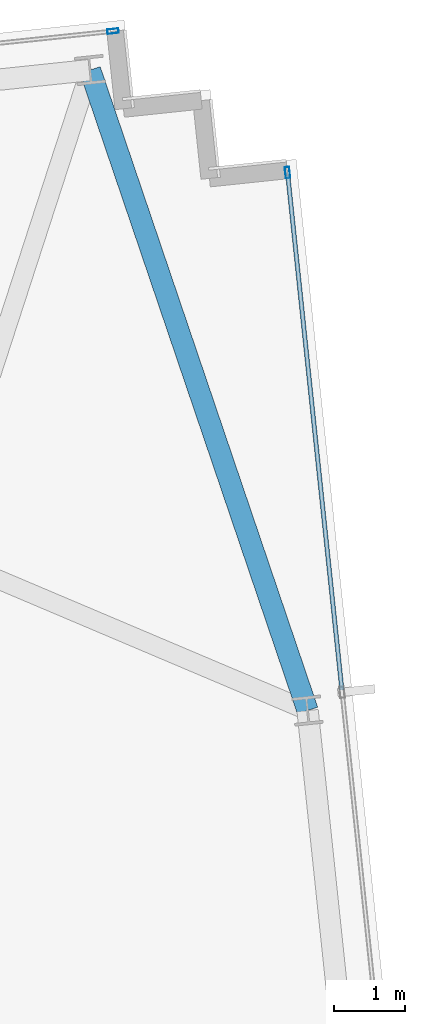
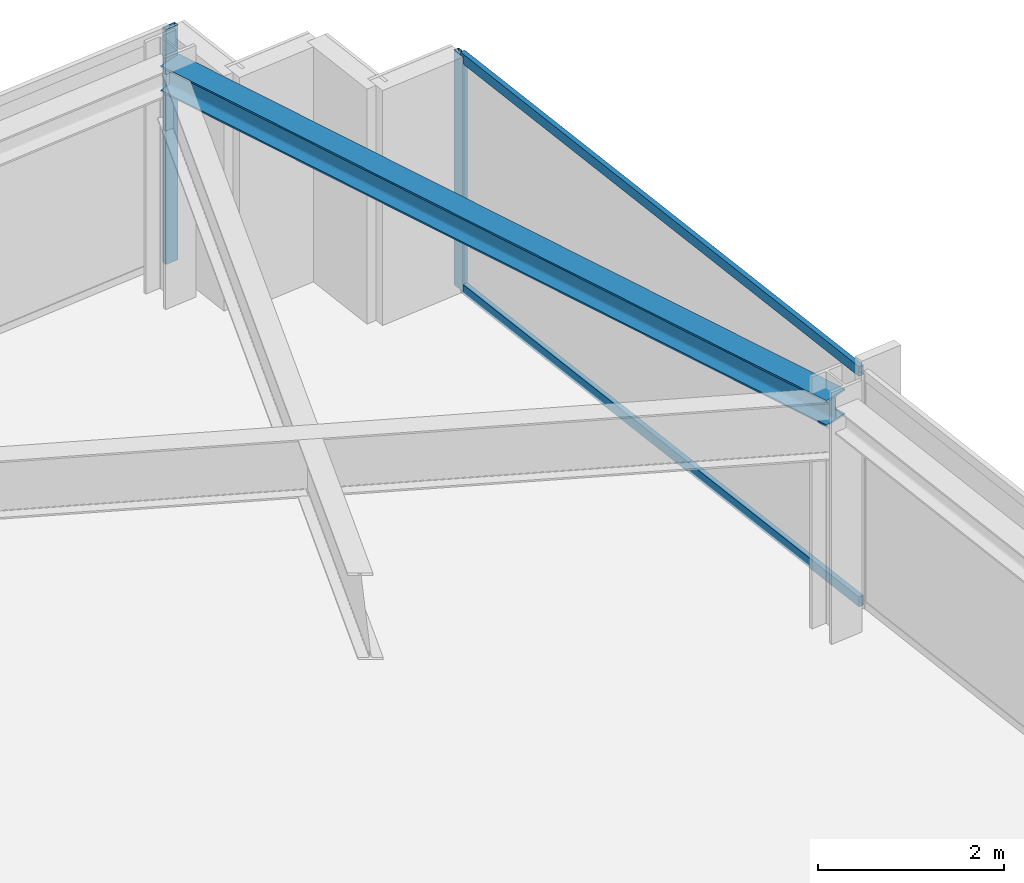
# One storey, part 25 of 33: 4 members, 1 beam, 2 elements without a shape of their own.
"""IFC4 building model written with IfcOpenShell, lengths in metres."""

from ifc_helpers import new_model, si_unit, direction, frame, origin, origin_2d, place, context, subcontext, project, spatial, hollow_rectangle, i_section, extrude, material, material_profile, profile_set, type_object, element, aggregate, save


model = new_model("IFC4")

# Units and contexts
model_context = context("Model", 3, precision=1e-05, world=origin(), true_north=direction((0.0, 1.0)))
body_context = subcontext(model_context, "Body", "Model", "MODEL_VIEW")
ifc_project = project(units=[si_unit("LENGTHUNIT", "METRE"), si_unit("AREAUNIT", "SQUARE_METRE"), si_unit("VOLUMEUNIT", "CUBIC_METRE"), si_unit("PLANEANGLEUNIT", "RADIAN"), si_unit("MASSUNIT", "GRAM", prefix="KILO")], contexts=[model_context])

# Site, building, storey
site_placement = place(None, origin())
site = spatial("IfcSite", under=ifc_project, at=site_placement, CompositionType="ELEMENT")
building_placement = place(site_placement, origin())
building = spatial("IfcBuilding", under=site, at=building_placement, Name="Yelkora Congress Tower", CompositionType="ELEMENT")
storey_placement = place(building_placement, frame((0.0, 0.0, 237.5)))
storey = spatial("IfcBuildingStorey", under=building, at=storey_placement, Name="L66", CompositionType="ELEMENT", Elevation=237.5)

# Beam
ifc_material_1 = material(Name="Steel S355J2", Category="steel")
ifc_material_profile_1 = material_profile(ifc_material_1, i_section(OverallWidth=0.300048828125, OverallDepth=0.340087890625, WebThickness=0.011962890625, FlangeThickness=0.021484375, FilletRadius=0.027099609375, at=origin_2d()), Name="HEB 340")
ifc_profile_set_1 = profile_set([ifc_material_profile_1], Name="Steel S355J2")
beam_type = type_object("IfcBeamType", Name="BM-SPAN-HEB340", PredefinedType="SPANDREL", material=ifc_profile_set_1)
beam_placement = place(storey_placement, frame((68.85400390625, 41.431884765625, 2.909912109375), z_axis=(-0.321575477611, 0.946883948644, 0.0), x_axis=(-0.946883948644, -0.321575477611, 0.0)))
element("IfcBeam", 1, at=beam_placement, inside=storey, type_object=beam_type, Name="L66 Perimeter Beam 12", PredefinedType="SPANDREL", context=body_context, shape_type="SweptSolid", body=[
    extrude(i_section(OverallWidth=0.300048828125, OverallDepth=0.340087890625, WebThickness=0.011962890625, FlangeThickness=0.021484375, FilletRadius=0.027099609375, at=origin_2d()), origin(), (0.0, 0.0, 1.0), 9.509765625),
])

# Curtain wall, member
ifc_material_2 = material(Name="Anodised aluminium and insulated glass", Category="aluminium")
curtain_wall_type = type_object("IfcCurtainWallType", Name="CW-SYS-B4", PredefinedType="NOTDEFINED", material=ifc_material_2)
curtain_wall_1_placement = place(storey_placement, origin())
curtain_wall_1 = element("IfcCurtainWall", 2, at=curtain_wall_1_placement, inside=storey, type_object=curtain_wall_type, Name="L66 Unitised Curtain Wall 10 (3)", PredefinedType="NOTDEFINED")
ifc_material_3 = material(Name="Anodised aluminium 6063-T6", Category="aluminium")
ifc_material_profile_2 = material_profile(ifc_material_3, hollow_rectangle(XDim=0.06494140625, YDim=0.159912109375, WallThickness=0.00390625, at=origin_2d()), Name="ALU 65x160x4")
ifc_profile_set_2 = profile_set([ifc_material_profile_2], Name="Anodised aluminium 6063-T6")
member_type_1 = type_object("IfcMemberType", Name="MEM-ML-B4", PredefinedType="MULLION", material=ifc_profile_set_2)
member_1_placement = place(storey_placement, frame((66.1181640625, 50.983154296875, 0.0), z_axis=(0.0, 0.0, 1.0), x_axis=(-0.104527724021, 0.994521973066, 0.0)))
member_1 = element("IfcMember", 3, at=member_1_placement, type_object=member_type_1, Name="CW-B4 mullion 7", PredefinedType="MULLION", context=body_context, shape_type="SweptSolid", body=[
    extrude(hollow_rectangle(XDim=0.06494140625, YDim=0.159912109375, WallThickness=0.00390625, at=origin_2d()), origin(), (0.0, 0.0, 1.0), 3.080078125),
])
aggregate(curtain_wall_1, [member_1])

# Curtain wall, members
curtain_wall_2_placement = place(storey_placement, origin())
curtain_wall_2 = element("IfcCurtainWall", 4, at=curtain_wall_2_placement, inside=storey, type_object=curtain_wall_type, Name="L66 Unitised Curtain Wall 15", PredefinedType="NOTDEFINED")
member_2_placement = place(storey_placement, frame((68.57177734375, 48.996337890625, 0.0), z_axis=(0.0, 0.0, 1.0), x_axis=(0.994522182968, 0.104525726898, 0.0)))
member_2 = element("IfcMember", 5, at=member_2_placement, type_object=member_type_1, Name="CW-B4 mullion 1", PredefinedType="MULLION", context=body_context, shape_type="SweptSolid", body=[
    extrude(hollow_rectangle(XDim=0.06494140625, YDim=0.159912109375, WallThickness=0.00390625, at=origin_2d()), origin(), (0.0, 0.0, 1.0), 3.080078125),
])
ifc_material_profile_3 = material_profile(ifc_material_3, hollow_rectangle(XDim=0.06005859375, YDim=0.1298828125, WallThickness=0.00390625, at=origin_2d()), Name="ALU 60x130x4")
ifc_profile_set_3 = profile_set([ifc_material_profile_3], Name="Anodised aluminium 6063-T6")
member_type_2 = type_object("IfcMemberType", Name="MEM-TR-B4", PredefinedType="USERDEFINED", material=ifc_profile_set_3)
member_3_placement = place(storey_placement, frame((68.5751953125, 48.9638671875, 0.030029296875), z_axis=(0.104531210832, -0.994521606584, 0.0), x_axis=(0.994521606584, 0.104531210832, 0.0)))
member_3 = element("IfcMember", 6, at=member_3_placement, type_object=member_type_2, Name="CW-B4 transom 1.1", ObjectType="TRANSOM", PredefinedType="USERDEFINED", context=body_context, shape_type="SweptSolid", body=[
    extrude(hollow_rectangle(XDim=0.06005859375, YDim=0.1298828125, WallThickness=0.00390625, at=origin_2d()), origin(), (0.0, 0.0, 1.0), 7.2822265625),
])
member_4_placement = place(storey_placement, frame((68.5751953125, 48.9638671875, 3.050048828125), z_axis=(0.104531210832, -0.994521606584, 0.0), x_axis=(0.994521606584, 0.104531210832, 0.0)))
member_4 = element("IfcMember", 7, at=member_4_placement, type_object=member_type_2, Name="CW-B4 transom 1.2", ObjectType="TRANSOM", PredefinedType="USERDEFINED", context=body_context, shape_type="SweptSolid", body=[
    extrude(hollow_rectangle(XDim=0.06005859375, YDim=0.1298828125, WallThickness=0.00390625, at=origin_2d()), origin(), (0.0, 0.0, 1.0), 7.2822265625),
])
aggregate(curtain_wall_2, [member_2, member_3, member_4])

save(model, "model.ifc")
